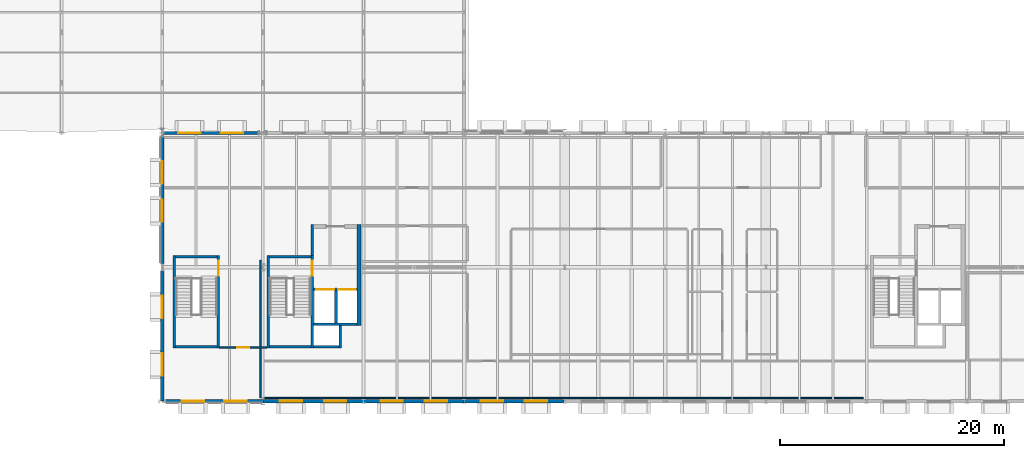
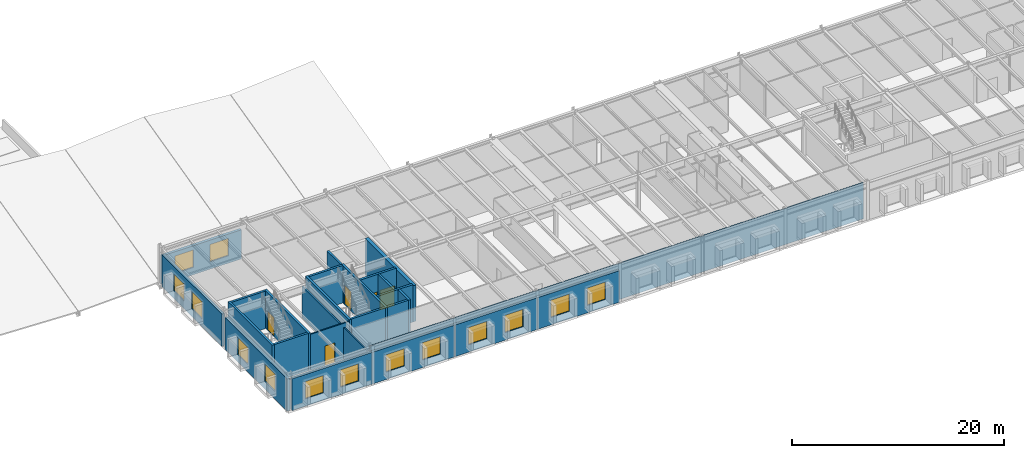
# One storey, part 54 of 67: 26 walls, 14 windows, 5 doors, 19 openings.
"""IFC4 building model written with IfcOpenShell, lengths in metres."""

from ifc_helpers import new_model, si_unit, direction, frame, frame_2d, origin, place, context, subcontext, project, spatial, rectangle, extrude, material, layer, layer_set, type_object, element, fill, save


model = new_model("IFC4")

# Units and contexts
model_context = context("Model", 3, precision=1e-05, world=origin(), true_north=direction((0.0, 1.0)))
body_context = subcontext(model_context, "Body", "Model", "MODEL_VIEW")
ifc_project = project(units=[si_unit("LENGTHUNIT", "METRE"), si_unit("AREAUNIT", "SQUARE_METRE"), si_unit("VOLUMEUNIT", "CUBIC_METRE"), si_unit("PLANEANGLEUNIT", "RADIAN"), si_unit("MASSUNIT", "GRAM", prefix="KILO")], contexts=[model_context])

# Site, building, storey
site_placement = place(None, origin())
site = spatial("IfcSite", under=ifc_project, at=site_placement, CompositionType="ELEMENT")
building_placement = place(site_placement, origin())
building = spatial("IfcBuilding", under=site, at=building_placement, Name="Montelvaro Courts of Justice", CompositionType="ELEMENT")
storey_placement = place(building_placement, frame((0.0, 0.0, 18.89990234375)))
storey = spatial("IfcBuildingStorey", under=building, at=storey_placement, Name="L04", CompositionType="ELEMENT", Elevation=18.89990234375)

# Wall, opening, door
ifc_material_1 = material(Name="Gypsum board on metal stud")
ifc_layer_1 = layer(ifc_material_1, 0.14990234375)
ifc_layer_set_1 = layer_set([ifc_layer_1], Name="Gypsum board on metal stud")
wall_type_1 = type_object("IfcWallType", Name="ChambersPartition_150", PredefinedType="PARTITIONING", material=ifc_layer_set_1)
wall_1_placement = place(storey_placement, frame((50.113037109375, 4.800048828125, 0.0), z_axis=(0.0, 0.0, 1.0), x_axis=(1.0, 0.0, 0.0)))
wall_1 = element("IfcWall", 1, at=wall_1_placement, inside=storey, type_object=wall_type_1, Name="Interior Partition IW-04 (L04)", PredefinedType="PARTITIONING", context=body_context, shape_type="SweptSolid", body=[
    extrude(rectangle(XDim=4.251953125, YDim=0.14990234375, at=frame_2d((2.1259765625, 0.0))), origin(), (0.0, 0.0, 1.0), 4.14013671875),
])
opening_1_placement = place(wall_1_placement, frame((1.60107421875, 0.0, 0.0)))
opening_1 = element("IfcOpeningElement", 2, at=opening_1_placement, cuts=wall_1, Name="Opening D-L04-128", PredefinedType="OPENING", context=body_context, shape_type="SweptSolid", body=[
    extrude(rectangle(XDim=1.050048828125, YDim=2.25, at=frame_2d((0.52490234375, 1.125))), frame((0.0, 0.08984375, 0.0), z_axis=(0.0, -1.0, 0.0), x_axis=(1.0, 0.0, 0.0)), (0.0, 0.0, 1.0), 0.1796875),
])
ifc_material_2 = material(Name="Acoustic oak timber veneer", Category="wood")
door_type_1 = type_object("IfcDoorType", Name="ChamberDoor_105x225", OperationType="NOTDEFINED", PredefinedType="DOOR", material=ifc_material_2)
door_1_placement = place(opening_1_placement, origin())
door_1 = element("IfcDoor", 3, at=door_1_placement, inside=storey, type_object=door_type_1, Name="Interior Door D-L04-128 (Prosecutors' West Chambers L04)", OperationType="SINGLE_SWING_RIGHT", OverallHeight=2.25, OverallWidth=1.050048828125, PredefinedType="DOOR", context=body_context, shape_type="SweptSolid", body=[
    extrude(rectangle(XDim=1.050048828125, YDim=2.25, at=frame_2d((0.52490234375, 1.125))), frame((0.0, 0.02490234375, 0.0), z_axis=(0.0, -1.0, 0.0), x_axis=(1.0, 0.0, 0.0)), (0.0, 0.0, 1.0), 0.050048828125),
])
fill(opening_1, door_1)

# Walls
wall_2_placement = place(storey_placement, frame((53.800048828125, 4.72998046875, 0.0), z_axis=(0.0, 0.0, 1.0), x_axis=(0.0, -1.0, 0.0)))
element("IfcWall", 4, at=wall_2_placement, inside=storey, type_object=wall_type_1, Name="Interior Partition IW-04 (L04)", PredefinedType="PARTITIONING", context=body_context, shape_type="SweptSolid", body=[
    extrude(rectangle(XDim=4.421875, YDim=0.14990234375, at=frame_2d((2.2109375, 0.0))), origin(), (0.0, 0.0, 1.0), 3.655029296875),
])
wall_3_placement = place(storey_placement, frame((53.800048828125, 12.6201171875, 0.0), z_axis=(0.0, 0.0, 1.0), x_axis=(0.0, -1.0, 0.0)))
element("IfcWall", 5, at=wall_3_placement, inside=storey, type_object=wall_type_1, Name="Interior Partition IW-04 (L04)", PredefinedType="PARTITIONING", context=body_context, shape_type="SweptSolid", body=[
    extrude(rectangle(XDim=7.75, YDim=0.14990234375, at=frame_2d((3.875, 0.0))), origin(), (0.0, 0.0, 1.0), 3.655029296875),
])
ifc_material_3 = material(Name="Concrete C40/50", Category="concrete")
ifc_layer_2 = layer(ifc_material_3, 0.360107421875)
ifc_layer_set_2 = layer_set([ifc_layer_2], Name="Concrete C40/50")
wall_type_2 = type_object("IfcWallType", Name="CoreWall_360", PredefinedType="SHEAR", material=ifc_layer_set_2)
wall_4_placement = place(storey_placement, frame((62.6201171875, 6.760009765625, 0.0), z_axis=(0.0, 0.0, 1.0), x_axis=(0.0, 1.0, 0.0)))
element("IfcWall", 6, at=wall_4_placement, inside=storey, type_object=wall_type_2, Name="Core Shear Wall CW-01 K1-E (L04)", PredefinedType="SHEAR", context=body_context, shape_type="SweptSolid", body=[
    extrude(rectangle(XDim=9.0400390625, YDim=0.360107421875, at=frame_2d((4.52001953125, 0.0))), origin(), (0.0, 0.0, 1.0), 4.16015625),
])

# Wall, openings, windows
ifc_material_4 = material(Name="White mineral precast concrete C45/55", Category="concrete")
ifc_layer_3 = layer(ifc_material_4, 0.300048828125)
ifc_layer_set_3 = layer_set([ifc_layer_3], Name="White mineral precast concrete C45/55")
wall_type_3 = type_object("IfcWallType", Name="ExtWall_GFRC_300", PredefinedType="SOLIDWALL", material=ifc_layer_set_3)
wall_5_placement = place(storey_placement, frame((45.30810546875, 0.0, 0.0), z_axis=(0.0, 0.0, 1.0), x_axis=(1.0, 0.0, 0.0)))
wall_5 = element("IfcWall", 7, at=wall_5_placement, inside=storey, type_object=wall_type_3, Name="Exterior Facade Wall EW-02 (L04)", PredefinedType="SOLIDWALL", context=body_context, shape_type="SweptSolid", body=[
    extrude(rectangle(XDim=8.683837890625, YDim=0.300048828125, at=frame_2d((4.341796875, 0.0))), origin(), (0.0, 0.0, 1.0), 3.655029296875),
])
opening_2_placement = place(wall_5_placement, frame((1.431884765625, 0.0, 0.85009765625)))
opening_2 = element("IfcOpeningElement", 8, at=opening_2_placement, cuts=wall_5, Name="Opening WE-11", PredefinedType="OPENING", context=body_context, shape_type="SweptSolid", body=[
    extrude(rectangle(XDim=2.0, YDim=2.0, at=frame_2d((1.0, 1.0))), frame((0.0, 0.1650390625, 0.0), z_axis=(0.0, -1.0, 0.0), x_axis=(1.0, 0.0, 0.0)), (0.0, 0.0, 1.0), 0.329833984375),
])
opening_3_placement = place(wall_5_placement, frame((5.251953125, 0.0, 0.85009765625)))
opening_3 = element("IfcOpeningElement", 9, at=opening_3_placement, cuts=wall_5, Name="Opening WE-11", PredefinedType="OPENING", context=body_context, shape_type="SweptSolid", body=[
    extrude(rectangle(XDim=2.0, YDim=2.0, at=frame_2d((1.0, 1.0))), frame((0.0, 0.1650390625, 0.0), z_axis=(0.0, -1.0, 0.0), x_axis=(1.0, 0.0, 0.0)), (0.0, 0.0, 1.0), 0.329833984375),
])
ifc_material_5 = material(Name="Low-E solar control double glazing", Category="glass")
window_type = type_object("IfcWindowType", Name="Win_Sq_200x200", PartitioningType="SINGLE_PANEL", PredefinedType="WINDOW", material=ifc_material_5)
window_1_placement = place(opening_2_placement, origin())
window_1 = element("IfcWindow", 10, at=window_1_placement, inside=storey, type_object=window_type, Name="Window W-L04-189", OverallHeight=2.0, OverallWidth=2.0, PartitioningType="SINGLE_PANEL", PredefinedType="WINDOW", context=body_context, shape_type="SweptSolid", body=[
    extrude(rectangle(XDim=2.0, YDim=2.0, at=frame_2d((1.0, 1.0))), frame((0.0, 0.030029296875, 0.0), z_axis=(0.0, -1.0, 0.0), x_axis=(1.0, 0.0, 0.0)), (0.0, 0.0, 1.0), 0.06005859375),
])
fill(opening_2, window_1)
window_2_placement = place(opening_3_placement, origin())
window_2 = element("IfcWindow", 11, at=window_2_placement, inside=storey, type_object=window_type, Name="Window W-L04-190", OverallHeight=2.0, OverallWidth=2.0, PartitioningType="SINGLE_PANEL", PredefinedType="WINDOW", context=body_context, shape_type="SweptSolid", body=[
    extrude(rectangle(XDim=2.0, YDim=2.0, at=frame_2d((1.0, 1.0))), frame((0.0, 0.030029296875, 0.0), z_axis=(0.0, -1.0, 0.0), x_axis=(1.0, 0.0, 0.0)), (0.0, 0.0, 1.0), 0.06005859375),
])
fill(opening_3, window_2)

wall_6_placement = place(storey_placement, frame((54.008056640625, 0.0, 0.0), z_axis=(0.0, 0.0, 1.0), x_axis=(1.0, 0.0, 0.0)))
wall_6 = element("IfcWall", 12, at=wall_6_placement, inside=storey, type_object=wall_type_3, Name="Exterior Facade Wall EW-02 (L04)", PredefinedType="SOLIDWALL", context=body_context, shape_type="SweptSolid", body=[
    extrude(rectangle(XDim=8.98388671875, YDim=0.300048828125, at=frame_2d((4.491943359375, 0.0))), origin(), (0.0, 0.0, 1.0), 3.655029296875),
])
opening_4_placement = place(wall_6_placement, frame((1.51611328125, 0.0, 0.85009765625)))
opening_4 = element("IfcOpeningElement", 13, at=opening_4_placement, cuts=wall_6, Name="Opening WE-11", PredefinedType="OPENING", context=body_context, shape_type="SweptSolid", body=[
    extrude(rectangle(XDim=2.0, YDim=2.0, at=frame_2d((1.0, 1.0))), frame((0.0, 0.1650390625, 0.0), z_axis=(0.0, -1.0, 0.0), x_axis=(1.0, 0.0, 0.0)), (0.0, 0.0, 1.0), 0.329833984375),
])
opening_5_placement = place(wall_6_placement, frame((5.468017578125, 0.0, 0.85009765625)))
opening_5 = element("IfcOpeningElement", 14, at=opening_5_placement, cuts=wall_6, Name="Opening WE-11", PredefinedType="OPENING", context=body_context, shape_type="SweptSolid", body=[
    extrude(rectangle(XDim=2.0, YDim=2.0, at=frame_2d((1.0, 1.0))), frame((0.0, 0.1650390625, 0.0), z_axis=(0.0, -1.0, 0.0), x_axis=(1.0, 0.0, 0.0)), (0.0, 0.0, 1.0), 0.329833984375),
])
window_3_placement = place(opening_4_placement, origin())
window_3 = element("IfcWindow", 15, at=window_3_placement, inside=storey, type_object=window_type, Name="Window W-L04-191", OverallHeight=2.0, OverallWidth=2.0, PartitioningType="SINGLE_PANEL", PredefinedType="WINDOW", context=body_context, shape_type="SweptSolid", body=[
    extrude(rectangle(XDim=2.0, YDim=2.0, at=frame_2d((1.0, 1.0))), frame((0.0, 0.030029296875, 0.0), z_axis=(0.0, -1.0, 0.0), x_axis=(1.0, 0.0, 0.0)), (0.0, 0.0, 1.0), 0.06005859375),
])
fill(opening_4, window_3)
window_4_placement = place(opening_5_placement, origin())
window_4 = element("IfcWindow", 16, at=window_4_placement, inside=storey, type_object=window_type, Name="Window W-L04-192", OverallHeight=2.0, OverallWidth=2.0, PartitioningType="SINGLE_PANEL", PredefinedType="WINDOW", context=body_context, shape_type="SweptSolid", body=[
    extrude(rectangle(XDim=2.0, YDim=2.0, at=frame_2d((1.0, 1.0))), frame((0.0, 0.030029296875, 0.0), z_axis=(0.0, -1.0, 0.0), x_axis=(1.0, 0.0, 0.0)), (0.0, 0.0, 1.0), 0.06005859375),
])
fill(opening_5, window_4)

wall_7_placement = place(storey_placement, frame((63.008056640625, 0.0, 0.0), z_axis=(0.0, 0.0, 1.0), x_axis=(1.0, 0.0, 0.0)))
wall_7 = element("IfcWall", 17, at=wall_7_placement, inside=storey, type_object=wall_type_3, Name="Exterior Facade Wall EW-02 (L04)", PredefinedType="SOLIDWALL", context=body_context, shape_type="SweptSolid", body=[
    extrude(rectangle(XDim=8.98388671875, YDim=0.300048828125, at=frame_2d((4.491943359375, 0.0))), origin(), (0.0, 0.0, 1.0), 3.655029296875),
])
opening_6_placement = place(wall_7_placement, frame((1.51611328125, 0.0, 0.85009765625)))
opening_6 = element("IfcOpeningElement", 18, at=opening_6_placement, cuts=wall_7, Name="Opening WE-11", PredefinedType="OPENING", context=body_context, shape_type="SweptSolid", body=[
    extrude(rectangle(XDim=2.0, YDim=2.0, at=frame_2d((1.0, 1.0))), frame((0.0, 0.1650390625, 0.0), z_axis=(0.0, -1.0, 0.0), x_axis=(1.0, 0.0, 0.0)), (0.0, 0.0, 1.0), 0.329833984375),
])
opening_7_placement = place(wall_7_placement, frame((5.468017578125, 0.0, 0.85009765625)))
opening_7 = element("IfcOpeningElement", 19, at=opening_7_placement, cuts=wall_7, Name="Opening WE-11", PredefinedType="OPENING", context=body_context, shape_type="SweptSolid", body=[
    extrude(rectangle(XDim=2.0, YDim=2.0, at=frame_2d((1.0, 1.0))), frame((0.0, 0.1650390625, 0.0), z_axis=(0.0, -1.0, 0.0), x_axis=(1.0, 0.0, 0.0)), (0.0, 0.0, 1.0), 0.329833984375),
])
window_5_placement = place(opening_6_placement, origin())
window_5 = element("IfcWindow", 20, at=window_5_placement, inside=storey, type_object=window_type, Name="Window W-L04-193", OverallHeight=2.0, OverallWidth=2.0, PartitioningType="SINGLE_PANEL", PredefinedType="WINDOW", context=body_context, shape_type="SweptSolid", body=[
    extrude(rectangle(XDim=2.0, YDim=2.0, at=frame_2d((1.0, 1.0))), frame((0.0, 0.030029296875, 0.0), z_axis=(0.0, -1.0, 0.0), x_axis=(1.0, 0.0, 0.0)), (0.0, 0.0, 1.0), 0.06005859375),
])
fill(opening_6, window_5)
window_6_placement = place(opening_7_placement, origin())
window_6 = element("IfcWindow", 21, at=window_6_placement, inside=storey, type_object=window_type, Name="Window W-L04-194", OverallHeight=2.0, OverallWidth=2.0, PartitioningType="SINGLE_PANEL", PredefinedType="WINDOW", context=body_context, shape_type="SweptSolid", body=[
    extrude(rectangle(XDim=2.0, YDim=2.0, at=frame_2d((1.0, 1.0))), frame((0.0, 0.030029296875, 0.0), z_axis=(0.0, -1.0, 0.0), x_axis=(1.0, 0.0, 0.0)), (0.0, 0.0, 1.0), 0.06005859375),
])
fill(opening_7, window_6)

wall_8_placement = place(storey_placement, frame((72.008056640625, 0.0, 0.0), z_axis=(0.0, 0.0, 1.0), x_axis=(1.0, 0.0, 0.0)))
wall_8 = element("IfcWall", 22, at=wall_8_placement, inside=storey, type_object=wall_type_3, Name="Exterior Facade Wall EW-02 (L04)", PredefinedType="SOLIDWALL", context=body_context, shape_type="SweptSolid", body=[
    extrude(rectangle(XDim=8.933837890625, YDim=0.300048828125, at=frame_2d((4.466796875, 0.0))), origin(), (0.0, 0.0, 1.0), 3.655029296875),
])
opening_8_placement = place(wall_8_placement, frame((1.501953125, 0.0, 0.85009765625)))
opening_8 = element("IfcOpeningElement", 23, at=opening_8_placement, cuts=wall_8, Name="Opening WE-11", PredefinedType="OPENING", context=body_context, shape_type="SweptSolid", body=[
    extrude(rectangle(XDim=2.0, YDim=2.0, at=frame_2d((1.0, 1.0))), frame((0.0, 0.1650390625, 0.0), z_axis=(0.0, -1.0, 0.0), x_axis=(1.0, 0.0, 0.0)), (0.0, 0.0, 1.0), 0.329833984375),
])
opening_9_placement = place(wall_8_placement, frame((5.431884765625, 0.0, 0.85009765625)))
opening_9 = element("IfcOpeningElement", 24, at=opening_9_placement, cuts=wall_8, Name="Opening WE-11", PredefinedType="OPENING", context=body_context, shape_type="SweptSolid", body=[
    extrude(rectangle(XDim=2.0, YDim=2.0, at=frame_2d((1.0, 1.0))), frame((0.0, 0.1650390625, 0.0), z_axis=(0.0, -1.0, 0.0), x_axis=(1.0, 0.0, 0.0)), (0.0, 0.0, 1.0), 0.329833984375),
])
window_7_placement = place(opening_8_placement, origin())
window_7 = element("IfcWindow", 25, at=window_7_placement, inside=storey, type_object=window_type, Name="Window W-L04-195", OverallHeight=2.0, OverallWidth=2.0, PartitioningType="SINGLE_PANEL", PredefinedType="WINDOW", context=body_context, shape_type="SweptSolid", body=[
    extrude(rectangle(XDim=2.0, YDim=2.0, at=frame_2d((1.0, 1.0))), frame((0.0, 0.030029296875, 0.0), z_axis=(0.0, -1.0, 0.0), x_axis=(1.0, 0.0, 0.0)), (0.0, 0.0, 1.0), 0.06005859375),
])
fill(opening_8, window_7)
window_8_placement = place(opening_9_placement, origin())
window_8 = element("IfcWindow", 26, at=window_8_placement, inside=storey, type_object=window_type, Name="Window W-L04-196", OverallHeight=2.0, OverallWidth=2.0, PartitioningType="SINGLE_PANEL", PredefinedType="WINDOW", context=body_context, shape_type="SweptSolid", body=[
    extrude(rectangle(XDim=2.0, YDim=2.0, at=frame_2d((1.0, 1.0))), frame((0.0, 0.030029296875, 0.0), z_axis=(0.0, -1.0, 0.0), x_axis=(1.0, 0.0, 0.0)), (0.0, 0.0, 1.0), 0.06005859375),
])
fill(opening_9, window_8)

wall_9_placement = place(storey_placement, frame((53.64404296875, 24.0, 0.0), z_axis=(0.0, 0.0, 1.0), x_axis=(-1.0, 0.0, 0.0)))
wall_9 = element("IfcWall", 27, at=wall_9_placement, inside=storey, type_object=wall_type_3, Name="Exterior Facade Wall EW-02 (L04)", PredefinedType="SOLIDWALL", context=body_context, shape_type="SweptSolid", body=[
    extrude(rectangle(XDim=8.635986328125, YDim=0.300048828125, at=frame_2d((4.31787109375, 0.0))), origin(), (0.0, 0.0, 1.0), 3.34521484375),
])
opening_10_placement = place(wall_9_placement, frame((1.41796875, 0.0, 0.85009765625)))
opening_10 = element("IfcOpeningElement", 28, at=opening_10_placement, cuts=wall_9, Name="Opening WE-11", PredefinedType="OPENING", context=body_context, shape_type="SweptSolid", body=[
    extrude(rectangle(XDim=2.0, YDim=2.0, at=frame_2d((1.0, 1.0))), frame((0.0, 0.1650390625, 0.0), z_axis=(0.0, -1.0, 0.0), x_axis=(1.0, 0.0, 0.0)), (0.0, 0.0, 1.0), 0.329833984375),
])
opening_11_placement = place(wall_9_placement, frame((5.218017578125, 0.0, 0.85009765625)))
opening_11 = element("IfcOpeningElement", 29, at=opening_11_placement, cuts=wall_9, Name="Opening WE-11", PredefinedType="OPENING", context=body_context, shape_type="SweptSolid", body=[
    extrude(rectangle(XDim=2.0, YDim=2.0, at=frame_2d((1.0, 1.0))), frame((0.0, 0.1650390625, 0.0), z_axis=(0.0, -1.0, 0.0), x_axis=(1.0, 0.0, 0.0)), (0.0, 0.0, 1.0), 0.329833984375),
])
window_9_placement = place(opening_10_placement, origin())
window_9 = element("IfcWindow", 30, at=window_9_placement, inside=storey, type_object=window_type, Name="Window W-L04-203", OverallHeight=2.0, OverallWidth=2.0, PartitioningType="SINGLE_PANEL", PredefinedType="WINDOW", context=body_context, shape_type="SweptSolid", body=[
    extrude(rectangle(XDim=2.0, YDim=2.0, at=frame_2d((1.0, 1.0))), frame((0.0, 0.030029296875, 0.0), z_axis=(0.0, -1.0, 0.0), x_axis=(1.0, 0.0, 0.0)), (0.0, 0.0, 1.0), 0.06005859375),
])
fill(opening_10, window_9)
window_10_placement = place(opening_11_placement, origin())
window_10 = element("IfcWindow", 31, at=window_10_placement, inside=storey, type_object=window_type, Name="Window W-L04-204", OverallHeight=2.0, OverallWidth=2.0, PartitioningType="SINGLE_PANEL", PredefinedType="WINDOW", context=body_context, shape_type="SweptSolid", body=[
    extrude(rectangle(XDim=2.0, YDim=2.0, at=frame_2d((1.0, 1.0))), frame((0.0, 0.030029296875, 0.0), z_axis=(0.0, -1.0, 0.0), x_axis=(1.0, 0.0, 0.0)), (0.0, 0.0, 1.0), 0.06005859375),
])
fill(opening_11, window_10)

wall_10_placement = place(storey_placement, frame((45.0, 23.64404296875, 0.0), z_axis=(0.0, 0.0, 1.0), x_axis=(0.0, -1.0, 0.0)))
wall_10 = element("IfcWall", 32, at=wall_10_placement, inside=storey, type_object=wall_type_3, Name="Exterior Facade Wall EW-02 (L04)", PredefinedType="SOLIDWALL", context=body_context, shape_type="SweptSolid", body=[
    extrude(rectangle(XDim=11.3359375, YDim=0.300048828125, at=frame_2d((5.66796875, 0.0))), origin(), (0.0, 0.0, 1.0), 3.705078125),
])
opening_12_placement = place(wall_10_placement, frame((2.174072265625, 0.0, 0.85009765625)))
opening_12 = element("IfcOpeningElement", 33, at=opening_12_placement, cuts=wall_10, Name="Opening WE-11", PredefinedType="OPENING", context=body_context, shape_type="SweptSolid", body=[
    extrude(rectangle(XDim=2.0, YDim=2.0, at=frame_2d((1.0, 1.0))), frame((0.0, 0.1650390625, 0.0), z_axis=(0.0, -1.0, 0.0), x_axis=(1.0, 0.0, 0.0)), (0.0, 0.0, 1.0), 0.329833984375),
])
opening_13_placement = place(wall_10_placement, frame((5.60400390625, 0.0, 0.85009765625)))
opening_13 = element("IfcOpeningElement", 34, at=opening_13_placement, cuts=wall_10, Name="Opening WE-11", PredefinedType="OPENING", context=body_context, shape_type="SweptSolid", body=[
    extrude(rectangle(XDim=2.0, YDim=2.0, at=frame_2d((1.0, 1.0))), frame((0.0, 0.1650390625, 0.0), z_axis=(0.0, -1.0, 0.0), x_axis=(1.0, 0.0, 0.0)), (0.0, 0.0, 1.0), 0.329833984375),
])
window_11_placement = place(opening_12_placement, origin())
window_11 = element("IfcWindow", 35, at=window_11_placement, inside=storey, type_object=window_type, Name="Window W-L04-205", OverallHeight=2.0, OverallWidth=2.0, PartitioningType="SINGLE_PANEL", PredefinedType="WINDOW", context=body_context, shape_type="SweptSolid", body=[
    extrude(rectangle(XDim=2.0, YDim=2.0, at=frame_2d((1.0, 1.0))), frame((0.0, 0.030029296875, 0.0), z_axis=(0.0, -1.0, 0.0), x_axis=(1.0, 0.0, 0.0)), (0.0, 0.0, 1.0), 0.06005859375),
])
fill(opening_12, window_11)
window_12_placement = place(opening_13_placement, origin())
window_12 = element("IfcWindow", 36, at=window_12_placement, inside=storey, type_object=window_type, Name="Window W-L04-206", OverallHeight=2.0, OverallWidth=2.0, PartitioningType="SINGLE_PANEL", PredefinedType="WINDOW", context=body_context, shape_type="SweptSolid", body=[
    extrude(rectangle(XDim=2.0, YDim=2.0, at=frame_2d((1.0, 1.0))), frame((0.0, 0.030029296875, 0.0), z_axis=(0.0, -1.0, 0.0), x_axis=(1.0, 0.0, 0.0)), (0.0, 0.0, 1.0), 0.06005859375),
])
fill(opening_13, window_12)

wall_11_placement = place(storey_placement, frame((45.0, 11.69189453125, 0.0), z_axis=(0.0, 0.0, 1.0), x_axis=(0.0, -1.0, 0.0)))
wall_11 = element("IfcWall", 37, at=wall_11_placement, inside=storey, type_object=wall_type_3, Name="Exterior Facade Wall EW-02 (L04)", PredefinedType="SOLIDWALL", context=body_context, shape_type="SweptSolid", body=[
    extrude(rectangle(XDim=11.683837890625, YDim=0.300048828125, at=frame_2d((5.841796875, 0.0))), origin(), (0.0, 0.0, 1.0), 3.705078125),
])
opening_14_placement = place(wall_11_placement, frame((2.27197265625, 0.0, 0.85009765625)))
opening_14 = element("IfcOpeningElement", 38, at=opening_14_placement, cuts=wall_11, Name="Opening WE-11", PredefinedType="OPENING", context=body_context, shape_type="SweptSolid", body=[
    extrude(rectangle(XDim=2.0, YDim=2.0, at=frame_2d((1.0, 1.0))), frame((0.0, 0.1650390625, 0.0), z_axis=(0.0, -1.0, 0.0), x_axis=(1.0, 0.0, 0.0)), (0.0, 0.0, 1.0), 0.329833984375),
])
opening_15_placement = place(wall_11_placement, frame((7.412109375, 0.0, 0.85009765625)))
opening_15 = element("IfcOpeningElement", 39, at=opening_15_placement, cuts=wall_11, Name="Opening WE-11", PredefinedType="OPENING", context=body_context, shape_type="SweptSolid", body=[
    extrude(rectangle(XDim=2.0, YDim=2.0, at=frame_2d((1.0, 1.0))), frame((0.0, 0.1650390625, 0.0), z_axis=(0.0, -1.0, 0.0), x_axis=(1.0, 0.0, 0.0)), (0.0, 0.0, 1.0), 0.329833984375),
])
window_13_placement = place(opening_14_placement, origin())
window_13 = element("IfcWindow", 40, at=window_13_placement, inside=storey, type_object=window_type, Name="Window W-L04-207", OverallHeight=2.0, OverallWidth=2.0, PartitioningType="SINGLE_PANEL", PredefinedType="WINDOW", context=body_context, shape_type="SweptSolid", body=[
    extrude(rectangle(XDim=2.0, YDim=2.0, at=frame_2d((1.0, 1.0))), frame((0.0, 0.030029296875, 0.0), z_axis=(0.0, -1.0, 0.0), x_axis=(1.0, 0.0, 0.0)), (0.0, 0.0, 1.0), 0.06005859375),
])
fill(opening_14, window_13)
window_14_placement = place(opening_15_placement, origin())
window_14 = element("IfcWindow", 41, at=window_14_placement, inside=storey, type_object=window_type, Name="Window W-L04-208", OverallHeight=2.0, OverallWidth=2.0, PartitioningType="SINGLE_PANEL", PredefinedType="WINDOW", context=body_context, shape_type="SweptSolid", body=[
    extrude(rectangle(XDim=2.0, YDim=2.0, at=frame_2d((1.0, 1.0))), frame((0.0, 0.030029296875, 0.0), z_axis=(0.0, -1.0, 0.0), x_axis=(1.0, 0.0, 0.0)), (0.0, 0.0, 1.0), 0.06005859375),
])
fill(opening_15, window_14)

# Walls
ifc_layer_4 = layer(ifc_material_1, 0.1201171875)
ifc_layer_set_4 = layer_set([ifc_layer_4], Name="Gypsum board on metal stud")
wall_type_4 = type_object("IfcWallType", Name="OfficePartition_120", PredefinedType="PARTITIONING", material=ifc_layer_set_4)
wall_12_placement = place(storey_placement, frame((107.720947265625, 0.300048828125, 0.0), z_axis=(0.0, 0.0, 1.0), x_axis=(-1.0, 0.0, 0.0)))
element("IfcWall", 42, at=wall_12_placement, inside=storey, type_object=wall_type_4, Name="Interior Partition IW-05 (L04)", PredefinedType="PARTITIONING", context=body_context, shape_type="SweptSolid", body=[
    extrude(rectangle(XDim=53.740966796875, YDim=0.1201171875, at=frame_2d((26.87060546875, 0.0))), origin(), (0.0, 0.0, 1.0), 4.14013671875),
])
ifc_material_6 = material(Name="Concrete C35/45", Category="concrete")
ifc_layer_5 = layer(ifc_material_6, 0.239990234375)
ifc_layer_set_5 = layer_set([ifc_layer_5], Name="Concrete C35/45")
wall_type_5 = type_object("IfcWallType", Name="ShaftWall_240", PredefinedType="SHEAR", material=ifc_layer_set_5)
wall_13_placement = place(storey_placement, frame((54.47998046875, 4.760009765625, 0.0), z_axis=(0.0, 0.0, 1.0), x_axis=(0.0, 1.0, 0.0)))
element("IfcWall", 43, at=wall_13_placement, inside=storey, type_object=wall_type_5, Name="Protected Stair Structural Wall ST-K1-W (L04)", PredefinedType="SHEAR", context=body_context, shape_type="SweptSolid", body=[
    extrude(rectangle(XDim=8.280029296875, YDim=0.239990234375, at=frame_2d((4.14013671875, 0.0))), origin(), (0.0, 0.0, 1.0), 4.31005859375),
])

# Wall, opening, door
wall_14_placement = place(storey_placement, frame((58.419921875, 4.760009765625, 0.0), z_axis=(0.0, 0.0, 1.0), x_axis=(0.0, 1.0, 0.0)))
wall_14 = element("IfcWall", 44, at=wall_14_placement, inside=storey, type_object=wall_type_5, Name="Protected Stair Structural Wall ST-K1-E (L04)", PredefinedType="SHEAR", context=body_context, shape_type="SweptSolid", body=[
    extrude(rectangle(XDim=8.280029296875, YDim=0.239990234375, at=frame_2d((4.14013671875, 0.0))), origin(), (0.0, 0.0, 1.0), 4.31005859375),
])
opening_16_placement = place(wall_14_placement, frame((6.489990234375, 0.0, 0.0)))
opening_16 = element("IfcOpeningElement", 45, at=opening_16_placement, cuts=wall_14, Name="Opening DS-L04-K1", PredefinedType="OPENING", context=body_context, shape_type="SweptSolid", body=[
    extrude(rectangle(XDim=1.300048828125, YDim=2.199951171875, at=frame_2d((0.64990234375, 1.10009765625))), frame((0.0, 0.134765625, 0.0), z_axis=(0.0, -1.0, 0.0), x_axis=(1.0, 0.0, 0.0)), (0.0, 0.0, 1.0), 0.269775390625),
])
ifc_material_7 = material(Name="Galvanised steel S355 security door", Category="steel")
door_type_2 = type_object("IfcDoorType", Name="StairFireDoor_130x220", OperationType="NOTDEFINED", PredefinedType="DOOR", material=ifc_material_7)
door_2_placement = place(opening_16_placement, frame((1.300048828125, 0.0, 0.0), z_axis=(0.0, 0.0, 1.0), x_axis=(-1.0, 0.0, 0.0)))
door_2 = element("IfcDoor", 46, at=door_2_placement, inside=storey, type_object=door_type_2, Name="Protected Stair Fire Door DS-L04-K1", OperationType="SINGLE_SWING_RIGHT", OverallHeight=2.199951171875, OverallWidth=1.300048828125, PredefinedType="DOOR", context=body_context, shape_type="SweptSolid", body=[
    extrude(rectangle(XDim=1.300048828125, YDim=2.199951171875, at=frame_2d((0.64990234375, 1.10009765625))), frame((0.0, 0.02490234375, 0.0), z_axis=(0.0, -1.0, 0.0), x_axis=(1.0, 0.0, 0.0)), (0.0, 0.0, 1.0), 0.050048828125),
])
fill(opening_16, door_2)

# Walls
for number, where, z_axis, x_axis, name in (
    (47, (54.60009765625, 4.8798828125, 0.0), (0.0, 0.0, 1.0), (1.0, 0.0, 0.0), "Protected Stair Structural Wall ST-K1-S (L04)"),
    (48, (54.60009765625, 12.919921875, 0.0), (0.0, 0.0, 1.0), (1.0, 0.0, 0.0), "Protected Stair Structural Wall ST-K1-N (L04)"),
):
    element("IfcWall", number, at=place(storey_placement, frame(where, z_axis=z_axis, x_axis=x_axis)), inside=storey, type_object=wall_type_5, Name=name, PredefinedType="SHEAR", context=body_context, shape_type="SweptSolid", body=[
        extrude(rectangle(XDim=3.699951171875, YDim=0.239990234375, at=frame_2d((1.85009765625, 0.0))), origin(), (0.0, 0.0, 1.0), 4.31005859375),
    ])
wall_15_placement = place(storey_placement, frame((46.080078125, 4.760009765625, 0.0), z_axis=(0.0, 0.0, 1.0), x_axis=(0.0, 1.0, 0.0)))
element("IfcWall", 49, at=wall_15_placement, inside=storey, type_object=wall_type_5, Name="Protected Stair Structural Wall ST-E1-W (L04)", PredefinedType="SHEAR", context=body_context, shape_type="SweptSolid", body=[
    extrude(rectangle(XDim=8.280029296875, YDim=0.239990234375, at=frame_2d((4.14013671875, 0.0))), origin(), (0.0, 0.0, 1.0), 4.31005859375),
])

# Wall, opening, door
wall_16_placement = place(storey_placement, frame((50.02001953125, 4.760009765625, 0.0), z_axis=(0.0, 0.0, 1.0), x_axis=(0.0, 1.0, 0.0)))
wall_16 = element("IfcWall", 50, at=wall_16_placement, inside=storey, type_object=wall_type_5, Name="Protected Stair Structural Wall ST-E1-E (L04)", PredefinedType="SHEAR", context=body_context, shape_type="SweptSolid", body=[
    extrude(rectangle(XDim=8.280029296875, YDim=0.239990234375, at=frame_2d((4.14013671875, 0.0))), origin(), (0.0, 0.0, 1.0), 4.31005859375),
])
opening_17_placement = place(wall_16_placement, frame((6.489990234375, 0.0, 0.0)))
opening_17 = element("IfcOpeningElement", 51, at=opening_17_placement, cuts=wall_16, Name="Opening DS-L04-SE1", PredefinedType="OPENING", context=body_context, shape_type="SweptSolid", body=[
    extrude(rectangle(XDim=1.300048828125, YDim=2.199951171875, at=frame_2d((0.64990234375, 1.10009765625))), frame((0.0, 0.134765625, 0.0), z_axis=(0.0, -1.0, 0.0), x_axis=(1.0, 0.0, 0.0)), (0.0, 0.0, 1.0), 0.269775390625),
])
door_3_placement = place(opening_17_placement, frame((1.300048828125, 0.0, 0.0), z_axis=(0.0, 0.0, 1.0), x_axis=(-1.0, 0.0, 0.0)))
door_3 = element("IfcDoor", 52, at=door_3_placement, inside=storey, type_object=door_type_2, Name="Protected Stair Fire Door DS-L04-SE1", OperationType="SINGLE_SWING_RIGHT", OverallHeight=2.199951171875, OverallWidth=1.300048828125, PredefinedType="DOOR", context=body_context, shape_type="SweptSolid", body=[
    extrude(rectangle(XDim=1.300048828125, YDim=2.199951171875, at=frame_2d((0.64990234375, 1.10009765625))), frame((0.0, 0.02490234375, 0.0), z_axis=(0.0, -1.0, 0.0), x_axis=(1.0, 0.0, 0.0)), (0.0, 0.0, 1.0), 0.050048828125),
])
fill(opening_17, door_3)

# Walls
for number, where, z_axis, x_axis, name in (
    (53, (46.199951171875, 4.8798828125, 0.0), (0.0, 0.0, 1.0), (1.0, 0.0, 0.0), "Protected Stair Structural Wall ST-E1-S (L04)"),
    (54, (46.199951171875, 12.919921875, 0.0), (0.0, 0.0, 1.0), (1.0, 0.0, 0.0), "Protected Stair Structural Wall ST-E1-N (L04)"),
):
    element("IfcWall", number, at=place(storey_placement, frame(where, z_axis=z_axis, x_axis=x_axis)), inside=storey, type_object=wall_type_5, Name=name, PredefinedType="SHEAR", context=body_context, shape_type="SweptSolid", body=[
        extrude(rectangle(XDim=3.699951171875, YDim=0.239990234375, at=frame_2d((1.85009765625, 0.0))), origin(), (0.0, 0.0, 1.0), 4.31005859375),
    ])
wall_17_placement = place(storey_placement, frame((58.419921875, 13.0400390625, 0.0), z_axis=(0.0, 0.0, 1.0), x_axis=(0.0, 1.0, 0.0)))
element("IfcWall", 55, at=wall_17_placement, inside=storey, type_object=wall_type_5, Name="Core Lobby Structural Wall K1-W (L04)", PredefinedType="SHEAR", context=body_context, shape_type="SweptSolid", body=[
    extrude(rectangle(XDim=2.760009765625, YDim=0.239990234375, at=frame_2d((1.3798828125, 0.0))), origin(), (0.0, 0.0, 1.0), 4.16015625),
])

# Wall, openings, doors
wall_18_placement = place(storey_placement, frame((58.5400390625, 10.02001953125, 0.0), z_axis=(0.0, 0.0, 1.0), x_axis=(1.0, 0.0, 0.0)))
wall_18 = element("IfcWall", 56, at=wall_18_placement, inside=storey, type_object=wall_type_5, Name="Lift Shaft Bank Wall K1 (L04)", PredefinedType="SHEAR", context=body_context, shape_type="SweptSolid", body=[
    extrude(rectangle(XDim=3.89990234375, YDim=0.239990234375, at=frame_2d((1.949951171875, 0.0))), origin(), (0.0, 0.0, 1.0), 4.31005859375),
])
opening_18_placement = place(wall_18_placement, frame((0.235107421875, 0.0, 0.0)))
opening_18 = element("IfcOpeningElement", 57, at=opening_18_placement, cuts=wall_18, Name="Opening LD-LF-01-L04", PredefinedType="OPENING", context=body_context, shape_type="SweptSolid", body=[
    extrude(rectangle(XDim=1.60009765625, YDim=2.300048828125, at=frame_2d((0.800048828125, 1.14990234375))), frame((0.0, 0.134765625, 0.0), z_axis=(0.0, -1.0, 0.0), x_axis=(1.0, 0.0, 0.0)), (0.0, 0.0, 1.0), 0.269775390625),
])
opening_19_placement = place(wall_18_placement, frame((2.18505859375, 0.0, 0.0)))
opening_19 = element("IfcOpeningElement", 58, at=opening_19_placement, cuts=wall_18, Name="Opening LD-LJ-01-L04", PredefinedType="OPENING", context=body_context, shape_type="SweptSolid", body=[
    extrude(rectangle(XDim=1.60009765625, YDim=2.300048828125, at=frame_2d((0.800048828125, 1.14990234375))), frame((0.0, 0.134765625, 0.0), z_axis=(0.0, -1.0, 0.0), x_axis=(1.0, 0.0, 0.0)), (0.0, 0.0, 1.0), 0.269775390625),
])
door_type_3 = type_object("IfcDoorType", Name="LiftDoor_160x230", OperationType="DOUBLE_DOOR_SLIDING", PredefinedType="DOOR", material=ifc_material_7)
door_4_placement = place(opening_18_placement, origin())
door_4 = element("IfcDoor", 59, at=door_4_placement, inside=storey, type_object=door_type_3, Name="Lift Landing Sliding Door LD-LF-01-L04", OperationType="DOUBLE_DOOR_SLIDING", OverallHeight=2.300048828125, OverallWidth=1.60009765625, PredefinedType="DOOR", context=body_context, shape_type="SweptSolid", body=[
    extrude(rectangle(XDim=1.60009765625, YDim=2.300048828125, at=frame_2d((0.800048828125, 1.14990234375))), frame((0.0, 0.02490234375, 0.0), z_axis=(0.0, -1.0, 0.0), x_axis=(1.0, 0.0, 0.0)), (0.0, 0.0, 1.0), 0.050048828125),
])
fill(opening_18, door_4)
door_5_placement = place(opening_19_placement, origin())
door_5 = element("IfcDoor", 60, at=door_5_placement, inside=storey, type_object=door_type_3, Name="Lift Landing Sliding Door LD-LJ-01-L04", OperationType="DOUBLE_DOOR_SLIDING", OverallHeight=2.300048828125, OverallWidth=1.60009765625, PredefinedType="DOOR", context=body_context, shape_type="SweptSolid", body=[
    extrude(rectangle(XDim=1.60009765625, YDim=2.300048828125, at=frame_2d((0.800048828125, 1.14990234375))), frame((0.0, 0.02490234375, 0.0), z_axis=(0.0, -1.0, 0.0), x_axis=(1.0, 0.0, 0.0)), (0.0, 0.0, 1.0), 0.050048828125),
])
fill(opening_19, door_5)

# Walls
wall_19_placement = place(storey_placement, frame((58.5400390625, 6.8798828125, 0.0), z_axis=(0.0, 0.0, 1.0), x_axis=(1.0, 0.0, 0.0)))
element("IfcWall", 61, at=wall_19_placement, inside=storey, type_object=wall_type_5, Name="Lift Shaft Back Wall K1 (L04)", PredefinedType="SHEAR", context=body_context, shape_type="SweptSolid", body=[
    extrude(rectangle(XDim=3.89990234375, YDim=0.239990234375, at=frame_2d((1.949951171875, 0.0))), origin(), (0.0, 0.0, 1.0), 4.31005859375),
])
wall_20_placement = place(storey_placement, frame((60.550048828125, 7.0, 0.0), z_axis=(0.0, 0.0, 1.0), x_axis=(0.0, 1.0, 0.0)))
element("IfcWall", 62, at=wall_20_placement, inside=storey, type_object=wall_type_5, Name="Lift Shaft Divider Wall K1-LFD1 (L04)", PredefinedType="SHEAR", context=body_context, shape_type="SweptSolid", body=[
    extrude(rectangle(XDim=2.89990234375, YDim=0.239990234375, at=frame_2d((1.449951171875, 0.0))), origin(), (0.0, 0.0, 1.0), 4.31005859375),
])
wall_21_placement = place(storey_placement, frame((60.919921875, 4.760009765625, 0.0), z_axis=(0.0, 0.0, 1.0), x_axis=(0.0, 1.0, 0.0)))
element("IfcWall", 63, at=wall_21_placement, inside=storey, type_object=wall_type_5, Name="Service Riser East Shaft Wall K1 (L04)", PredefinedType="SHEAR", context=body_context, shape_type="SweptSolid", body=[
    extrude(rectangle(XDim=2.0, YDim=0.239990234375, at=frame_2d((1.0, 0.0))), origin(), (0.0, 0.0, 1.0), 4.31005859375),
])
wall_22_placement = place(storey_placement, frame((58.5400390625, 4.8798828125, 0.0), z_axis=(0.0, 0.0, 1.0), x_axis=(1.0, 0.0, 0.0)))
element("IfcWall", 64, at=wall_22_placement, inside=storey, type_object=wall_type_5, Name="Service Riser South Shaft Wall K1 (L04)", PredefinedType="SHEAR", context=body_context, shape_type="SweptSolid", body=[
    extrude(rectangle(XDim=2.260009765625, YDim=0.239990234375, at=frame_2d((1.1298828125, 0.0))), origin(), (0.0, 0.0, 1.0), 4.31005859375),
])

save(model, "model.ifc")
